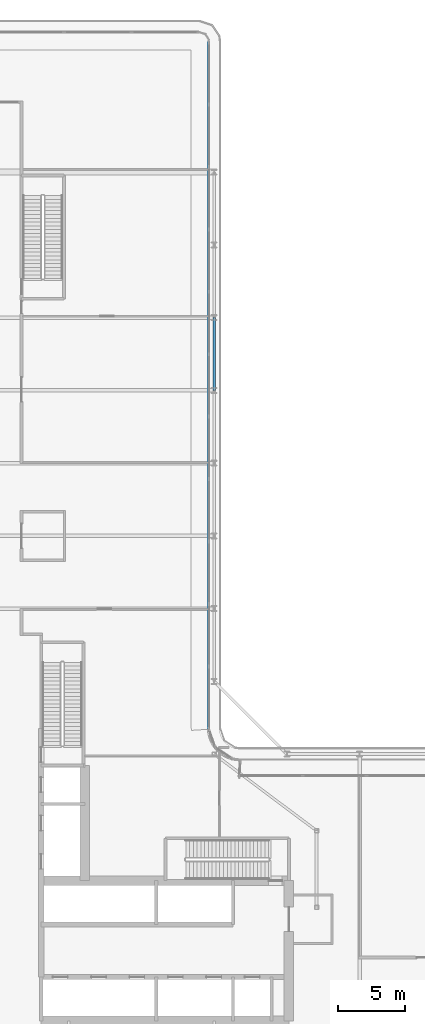
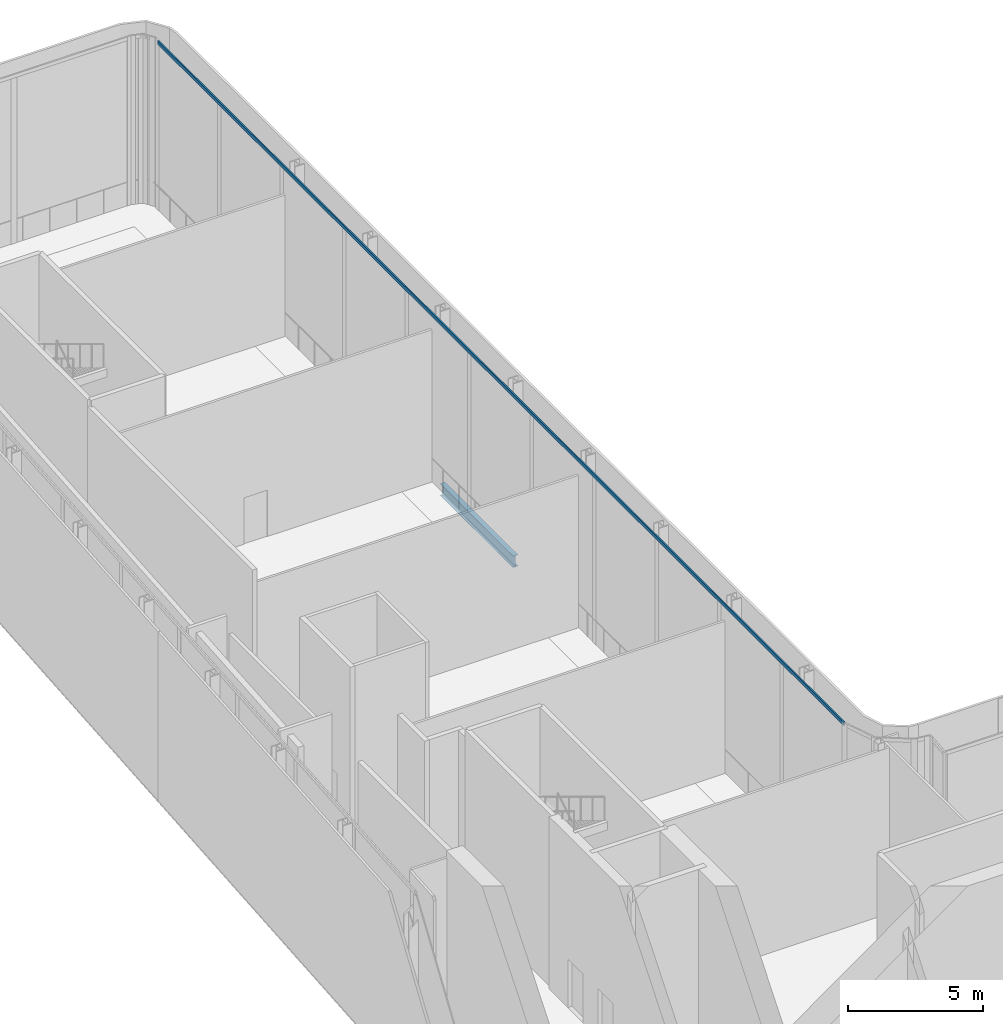
# One storey, part 15 of 38: 1 beam, 1 member, 1 element without a shape of its own.
"""IFC4 building model written with IfcOpenShell, lengths in metres."""

from ifc_helpers import new_model, si_unit, direction, frame, origin, origin_2d, place, context, subcontext, project, spatial, rectangle, i_section, extrude, material, layer, layer_set, material_profile, profile_set, type_object, element, aggregate, save


model = new_model("IFC4")

# Units and contexts
model_context = context("Model", 3, precision=1e-05, world=origin(), true_north=direction((0.0, 1.0)))
body_context = subcontext(model_context, "Body", "Model", "MODEL_VIEW")
ifc_project = project(units=[si_unit("LENGTHUNIT", "METRE"), si_unit("AREAUNIT", "SQUARE_METRE"), si_unit("VOLUMEUNIT", "CUBIC_METRE"), si_unit("PLANEANGLEUNIT", "RADIAN"), si_unit("MASSUNIT", "GRAM", prefix="KILO")], contexts=[model_context])

# Site, building, storey
site_placement = place(None, origin())
site = spatial("IfcSite", under=ifc_project, at=site_placement, CompositionType="ELEMENT")
building_placement = place(site_placement, origin())
building = spatial("IfcBuilding", under=site, at=building_placement, Name="Kheshtan School and Residences Tower", CompositionType="ELEMENT")
storey_placement = place(building_placement, frame((0.0, 0.0, 203.300048828125)))
storey = spatial("IfcBuildingStorey", under=building, at=storey_placement, Name="L48", CompositionType="ELEMENT", Elevation=203.300048828125)

# Beam
ifc_material_1 = material(Name="Steel ASTM A992 Grade 50", Category="steel")
ifc_material_profile_1 = material_profile(ifc_material_1, i_section(OverallWidth=0.208984375, OverallDepth=0.532958984375, WebThickness=0.01025390625, FlangeThickness=0.015625, FilletRadius=0.013916015625, at=origin_2d()), Name="W530x92")
ifc_profile_set_1 = profile_set([ifc_material_profile_1], Name="Steel ASTM A992 Grade 50")
beam_type = type_object("IfcBeamType", Name="Beam SP3 W530x92 ASTM A992 Grade 50", PredefinedType="BEAM", material=ifc_profile_set_1)
beam_placement = place(storey_placement, frame((47.60009765625, 78.0, -0.41650390625), z_axis=(0.0, -1.0, 0.0), x_axis=(1.0, 0.0, 0.0)))
element("IfcBeam", 1, at=beam_placement, inside=storey, type_object=beam_type, Name="Spandrel beam C089-C087", PredefinedType="BEAM", context=body_context, shape_type="SweptSolid", body=[
    extrude(i_section(OverallWidth=0.208984375, OverallDepth=0.532958984375, WebThickness=0.01025390625, FlangeThickness=0.015625, FilletRadius=0.013916015625, at=origin_2d()), origin(), (0.0, 0.0, 1.0), 5.39990234375),
])

# Curtain wall, member
ifc_material_2 = material(Name="Clear low-e glass in thermally broken aluminium frame", Category="aluminium")
ifc_layer = layer(ifc_material_2, 0.25)
ifc_layer_set = layer_set([ifc_layer], Name="Curtain wall CW-K")
curtain_wall_type = type_object("IfcCurtainWallType", Name="Curtain wall CW-K", PredefinedType="NOTDEFINED", material=ifc_layer_set)
curtain_wall_placement = place(storey_placement, origin())
curtain_wall = element("IfcCurtainWall", 2, at=curtain_wall_placement, inside=storey, type_object=curtain_wall_type, Name="Curtain wall CWK24", PredefinedType="NOTDEFINED")
ifc_material_3 = material(Name="Thermally broken aluminium, dark bronze anodised", Category="aluminium")
ifc_material_profile_2 = material_profile(ifc_material_3, rectangle(XDim=0.06005859375, YDim=0.159912109375, at=origin_2d()), Name="CW-K transom 60x160")
ifc_profile_set_2 = profile_set([ifc_material_profile_2], Name="Thermally broken aluminium, dark bronze anodised")
member_type = type_object("IfcMemberType", Name="CW-K transom 60x160", PredefinedType="USERDEFINED", material=ifc_profile_set_2)
member_placement = place(storey_placement, frame((47.199951171875, 98.409912109375, 7.570068359375), z_axis=(0.0, -1.0, 0.0), x_axis=(1.0, 0.0, 0.0)))
member = element("IfcMember", 3, at=member_placement, type_object=member_type, Name="CWK24 transom 1", ObjectType="TRANSOM", PredefinedType="USERDEFINED", context=body_context, shape_type="SweptSolid", body=[
    extrude(rectangle(XDim=0.06005859375, YDim=0.159912109375, at=origin_2d()), origin(), (0.0, 0.0, 1.0), 50.906494140625),
])
aggregate(curtain_wall, [member])

save(model, "model.ifc")
